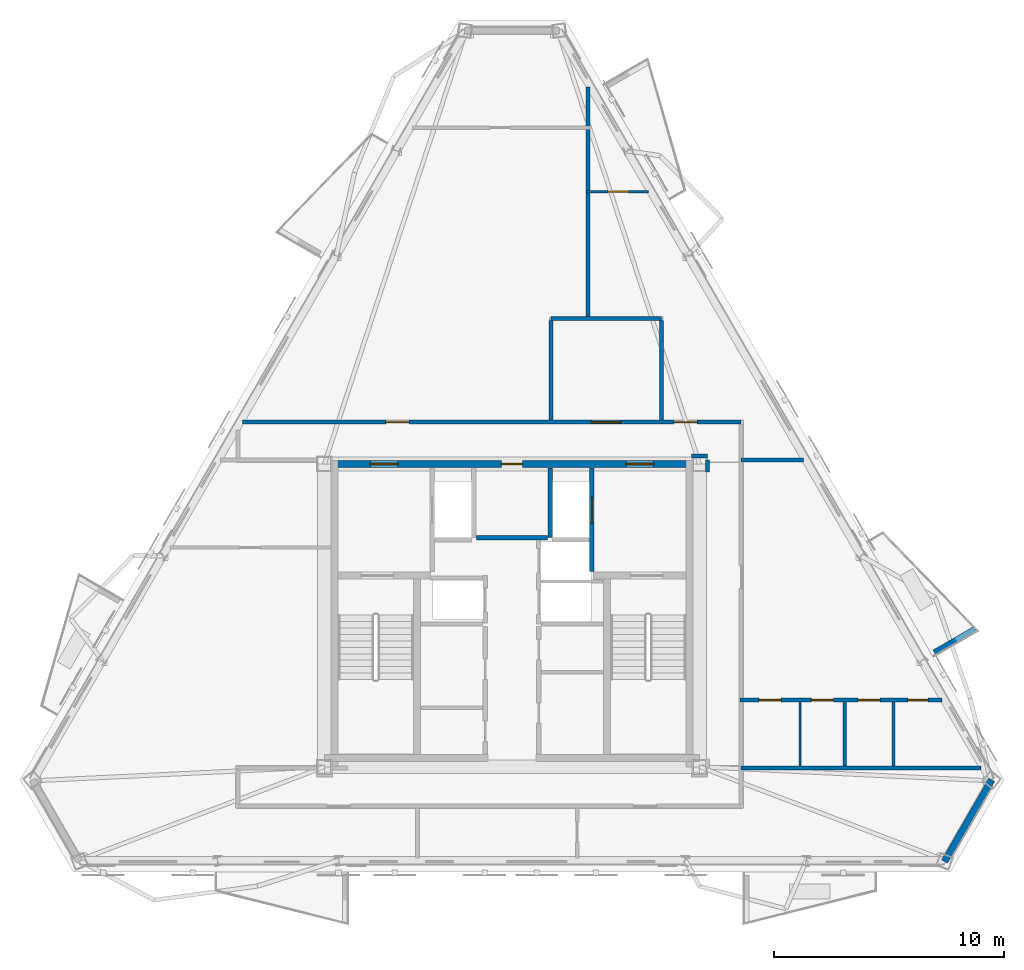
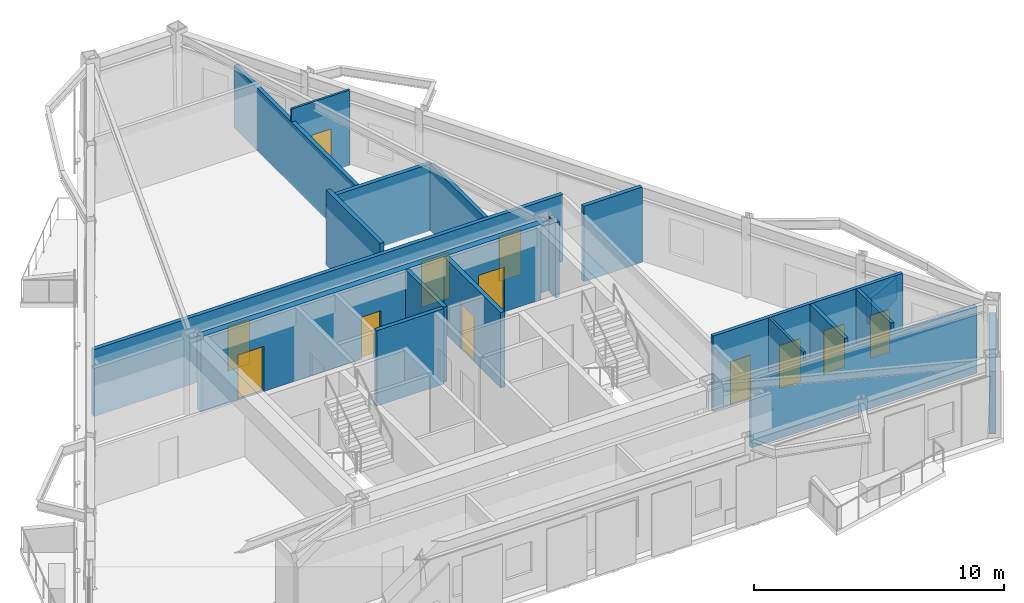
# One storey, part 4 of 9: 20 walls, 12 doors, 12 openings.
"""IFC4 building model written with IfcOpenShell, lengths in metres."""

import ifcopenshell
import ifcopenshell.guid

model = None  # the IFC model being written
_history = None  # IfcOwnerHistory: only IFC2X3 demands one
_inside = {}  # id of a spatial element -> (the spatial element, [elements in it])
_under = {}  # id of a project, library or spatial element -> (it, [spatial elements below it])
_declared = {}  # id of a project -> (the project, [libraries it declares])
_typed = {}  # id of a type object -> (the type object, [elements of that type])
_made_of = {}  # id of a material, layer set ... -> (it, [elements and type objects made of it])


def new_model(schema):
    """Start an empty IFC model of exactly this schema.

    Asked for "IFC4X3", IfcOpenShell would pick the latest addendum, in which some entities
    have other attributes; the version numbers below select the first issue.
    IFC2X3 requires an IfcOwnerHistory on every rooted entity: one is made here for all.
    """
    global model, _history
    if schema == "IFC4X3":
        model = ifcopenshell.file(schema_version=(4, 3, 0, 0))
    else:
        model = ifcopenshell.file(schema=schema)
    _inside.clear()
    _under.clear()
    _declared.clear()
    _typed.clear()
    _made_of.clear()
    _history = None
    if model.schema == "IFC2X3":
        org = make("IfcOrganization", Name="unknown")
        user = make(
            "IfcPersonAndOrganization",
            ThePerson=make("IfcPerson", FamilyName="unknown"),
            TheOrganization=org,
        )
        app = make(
            "IfcApplication",
            ApplicationDeveloper=org,
            Version="unknown",
            ApplicationFullName="unknown",
            ApplicationIdentifier="unknown",
        )
        _history = make(
            "IfcOwnerHistory",
            OwningUser=user,
            OwningApplication=app,
            ChangeAction="ADDED",
            CreationDate=0,
        )
    return model


def make(cls, **values):
    """One entity of the class cls with the attributes given. An attribute that is None is left unset."""
    return model.create_entity(
        cls, **{name: value for name, value in values.items() if value is not None}
    )


def rooted(cls, **values):
    """An entity with a GlobalId (a new one), such as an element, a storey or a relation."""
    return make(cls, GlobalId=ifcopenshell.guid.new(), OwnerHistory=_history, **values)


def si_unit(unit_type, name, prefix=None):
    """IfcSIUnit, for example si_unit("LENGTHUNIT", "METRE", prefix="MILLI")."""
    return make("IfcSIUnit", UnitType=unit_type, Prefix=prefix, Name=name)


def assignment(units):
    """IfcUnitAssignment: the units of a project."""
    return None if units is None else make("IfcUnitAssignment", Units=units)


def point(xyz):
    """IfcCartesianPoint."""
    return None if xyz is None else make("IfcCartesianPoint", Coordinates=xyz)


def direction(xyz):
    """IfcDirection."""
    return None if xyz is None else make("IfcDirection", DirectionRatios=xyz)


def frame(location, z_axis=None, x_axis=None):
    """IfcAxis2Placement3D, a coordinate frame: its origin and axes. An axis left out is left unset."""
    return make(
        "IfcAxis2Placement3D",
        Location=point(location),
        Axis=direction(z_axis),
        RefDirection=direction(x_axis),
    )


def frame_2d(location, x_axis=None):
    """IfcAxis2Placement2D, a coordinate frame in the plane: its origin and x axis."""
    return make(
        "IfcAxis2Placement2D", Location=point(location), RefDirection=direction(x_axis)
    )


def origin():
    """The frame at (0, 0, 0) with its axes left unset."""
    return frame((0.0, 0.0, 0.0))


def place(relative_to, where):
    """IfcLocalPlacement: puts the frame where relative to a parent placement (None: the world)."""
    return make(
        "IfcLocalPlacement", PlacementRelTo=relative_to, RelativePlacement=where
    )


def context(
    kind, dimensions, precision=None, world=None, true_north=None, identifier=None
):
    """IfcGeometricRepresentationContext, for example the 3D "Model" context."""
    return make(
        "IfcGeometricRepresentationContext",
        ContextIdentifier=identifier,
        ContextType=kind,
        CoordinateSpaceDimension=dimensions,
        Precision=precision,
        WorldCoordinateSystem=world,
        TrueNorth=true_north,
    )


def subcontext(parent, identifier, kind, view, scale=None):
    """IfcGeometricRepresentationSubContext, for example "Body" below "Model"."""
    return make(
        "IfcGeometricRepresentationSubContext",
        ContextIdentifier=identifier,
        ContextType=kind,
        ParentContext=parent,
        TargetScale=scale,
        TargetView=view,
    )


def project(units=None, contexts=None):
    """IfcProject with its units and contexts."""
    return rooted(
        "IfcProject",
        Name="project",
        RepresentationContexts=contexts,
        UnitsInContext=assignment(units),
    )


def spatial(cls, under=None, at=None, **own):
    """A site, building, storey or space (cls), placed at a placement, below another one or the project."""
    s = rooted(cls, ObjectPlacement=at, **own)
    if under is not None:
        _under.setdefault(under.id(), (under, []))[1].append(s)
    return s


def polyline(points):
    """IfcPolyline through the points."""
    return make("IfcPolyline", Points=[point(p) for p in points])


def profile(cls, at=None, kind="AREA", **sizes):
    """A parametric profile (cls). Its sizes go by their IFC names, for example OverallWidth=200.0."""
    return make(cls, ProfileType=kind, Position=at, **sizes)


def rectangle(**sizes):
    """IfcRectangleProfileDef."""
    return profile("IfcRectangleProfileDef", **sizes)


def outline(outer, holes=None, kind="AREA"):
    """IfcArbitraryClosedProfileDef: a profile drawn as a closed curve; with holes, ...WithVoids."""
    if holes is None:
        return make("IfcArbitraryClosedProfileDef", ProfileType=kind, OuterCurve=outer)
    return make(
        "IfcArbitraryProfileDefWithVoids",
        ProfileType=kind,
        OuterCurve=outer,
        InnerCurves=holes,
    )


def extrude(swept, where, along, depth):
    """IfcExtrudedAreaSolid: the profile swept, set in the frame where, extruded along a direction by depth."""
    return make(
        "IfcExtrudedAreaSolid",
        SweptArea=swept,
        Position=where,
        ExtrudedDirection=direction(along),
        Depth=depth,
    )


def shape(context_of_items, identifier, shape_type, items):
    """IfcShapeRepresentation: the items that make up one representation, for example the "Body"."""
    return make(
        "IfcShapeRepresentation",
        ContextOfItems=context_of_items,
        RepresentationIdentifier=identifier,
        RepresentationType=shape_type,
        Items=items,
    )


def material(Name=None, Category=None):
    """IfcMaterial."""
    return make("IfcMaterial", Name=Name, Category=Category)


def layer(
    of_material, thickness, ventilated=None, Name=None, Category=None, Priority=None
):
    """IfcMaterialLayer: one layer of a wall or slab, of a material (None: an air gap)."""
    return make(
        "IfcMaterialLayer",
        Material=of_material,
        LayerThickness=thickness,
        IsVentilated=ventilated,
        Name=Name,
        Category=Category,
        Priority=Priority,
    )


def layer_set(layers, Name=None):
    """IfcMaterialLayerSet."""
    return make("IfcMaterialLayerSet", MaterialLayers=layers, LayerSetName=Name)


def made_of(thing, what):
    """Note that an element or type object is made of a material, layer set ...; save() writes the relation."""
    if what is not None:
        _made_of.setdefault(what.id(), (what, []))[1].append(thing)
    return thing


def type_object(cls, material=None, **own):
    """A type object (cls), such as IfcWallType, which elements share."""
    return made_of(rooted(cls, **own), material)


def element(
    cls,
    number,
    at=None,
    inside=None,
    cuts=None,
    type_object=None,
    material=None,
    context=None,
    identifier="Body",
    shape_type=None,
    held_by="IfcProductDefinitionShape",
    body=None,
    shapes=None,
    **own,
):
    """One element of the class cls, such as IfcWall. Its Tag is "e" and its number.

    at: its placement. inside: the storey or other place that contains it. cuts: it is an
    opening in that element (IfcRelVoidsElement). A single representation is given by context,
    identifier, shape_type and body (its items); several are given by shapes. held_by: the class
    of the entity that holds the representations. save() writes the other relations.
    """
    e = rooted(cls, Tag="e%d" % number, ObjectPlacement=at, **own)
    if body is not None:
        shapes = [shape(context, identifier, shape_type, body)]
    if shapes is not None:
        e.Representation = make(held_by, Representations=shapes)
    if inside is not None:
        _inside.setdefault(inside.id(), (inside, []))[1].append(e)
    if cuts is not None:
        rooted(
            "IfcRelVoidsElement", RelatingBuildingElement=cuts, RelatedOpeningElement=e
        )
    if type_object is not None:
        _typed.setdefault(type_object.id(), (type_object, []))[1].append(e)
    return made_of(e, material)


def fill(opening, filler):
    """IfcRelFillsElement: the door or window that sits in an opening."""
    return rooted(
        "IfcRelFillsElement",
        RelatingOpeningElement=opening,
        RelatedBuildingElement=filler,
    )


def aggregate(whole, parts):
    """IfcRelAggregates: a whole, such as a stair, and the parts it consists of."""
    return rooted("IfcRelAggregates", RelatingObject=whole, RelatedObjects=parts)


def save(model, path):
    """Write the relations noted so far, then the file.

    IfcRelAggregates (storeys below a building ...), IfcRelContainedInSpatialStructure (elements
    in a storey), IfcRelDefinesByType, IfcRelAssociatesMaterial and IfcRelDeclares: one each for
    every whole, place, type object, material and project.
    """
    for whole, parts in _under.values():
        aggregate(whole, parts)
    for where, things in _inside.values():
        rooted(
            "IfcRelContainedInSpatialStructure",
            RelatedElements=things,
            RelatingStructure=where,
        )
    for kind, things in _typed.values():
        rooted("IfcRelDefinesByType", RelatedObjects=things, RelatingType=kind)
    for what, things in _made_of.values():
        rooted("IfcRelAssociatesMaterial", RelatedObjects=things, RelatingMaterial=what)
    for by, libraries in _declared.values():
        rooted("IfcRelDeclares", RelatingContext=by, RelatedDefinitions=libraries)
    model.write(path)


model = new_model("IFC4")

# Units and contexts
model_context = context("Model", 3, precision=1e-05, world=origin(), true_north=direction((0.0, 1.0)))
body_context = subcontext(model_context, "Body", "Model", "MODEL_VIEW")
ifc_project = project(units=[si_unit("LENGTHUNIT", "METRE"), si_unit("AREAUNIT", "SQUARE_METRE"), si_unit("VOLUMEUNIT", "CUBIC_METRE"), si_unit("PLANEANGLEUNIT", "RADIAN"), si_unit("MASSUNIT", "GRAM", prefix="KILO")], contexts=[model_context])

# Site, building, storey
site_placement = place(None, origin())
site = spatial("IfcSite", under=ifc_project, at=site_placement, CompositionType="ELEMENT")
building_placement = place(site_placement, origin())
building = spatial("IfcBuilding", under=site, at=building_placement, Name="Oramaril Tower", CompositionType="ELEMENT")
storey_placement = place(building_placement, frame((0.0, 0.0, 292.800048828125)))
storey = spatial("IfcBuildingStorey", under=building, at=storey_placement, Name="L77", CompositionType="ELEMENT", Elevation=292.800048828125)

# Walls
ifc_material_1 = material(Name="Warm Cream Limestone", Category="masonry")
ifc_layer_1 = layer(ifc_material_1, 0.2900390625)
ifc_layer_set_1 = layer_set([ifc_layer_1], Name="WT-EXT29")
wall_type_1 = type_object("IfcWallType", Name="WT-EXT29", PredefinedType="SOLIDWALL", material=ifc_layer_set_1)
wall_1_placement = place(storey_placement, frame((56.28515625, 6.884521484375, 0.0), z_axis=(0.0, 0.0, 1.0), x_axis=(0.499990189338, 0.866031067899, 0.0)))
element("IfcWall", 1, at=wall_1_placement, inside=storey, type_object=wall_type_1, Name="L77 Tower Limestone Facade Wall 3M", PredefinedType="SOLIDWALL", context=body_context, shape_type="SweptSolid", body=[
    extrude(rectangle(XDim=4.1044921875, YDim=0.2900390625, at=frame_2d((2.05224609375, 0.0))), origin(), (0.0, 0.0, 1.0), 3.057861328125),
])
ifc_material_2 = material(Name="Concrete C40/50", Category="concrete")
ifc_layer_2 = layer(ifc_material_2, 0.22998046875)
ifc_layer_set_2 = layer_set([ifc_layer_2], Name="WT-PRP23")
wall_type_2 = type_object("IfcWallType", Name="WT-PRP23", PredefinedType="PARAPET", material=ifc_layer_set_2)
wall_2_placement = place(storey_placement, frame((55.835693359375, 15.968505859375, 0.0), z_axis=(0.0, 0.0, 1.0), x_axis=(0.866012356593, 0.500022597718, 0.0)))
element("IfcWall", 2, at=wall_2_placement, inside=storey, type_object=wall_type_2, Name="L77 Trapezoidal Balcony Frame Cheek L77-BAL-NE1-L", PredefinedType="PARAPET", context=body_context, shape_type="SweptSolid", body=[
    extrude(outline(polyline([(0.0, 0.0), (2.0419921875, 0.0), (2.0419921875, 1.099853515625), (0.0, 1.320068359375), (0.0, 0.0)])), frame((0.0, 0.114990234375, 0.0), z_axis=(0.0, -1.0, 0.0), x_axis=(1.0, 0.0, 0.0)), (0.0, 0.0, 1.0), 0.22998046875),
])

# Wall, opening, door
ifc_material_3 = material(Name="Acoustic Gypsum Board Partition")
ifc_layer_3 = layer(ifc_material_3, 0.10009765625)
ifc_layer_set_3 = layer_set([ifc_layer_3], Name="WT-PT10")
wall_type_3 = type_object("IfcWallType", Name="WT-PT10", PredefinedType="PARTITIONING", material=ifc_layer_set_3)
wall_3_placement = place(storey_placement, frame((40.718017578125, 35.97998046875, 0.0), z_axis=(0.0, 0.0, 1.0), x_axis=(1.0, 0.0, 0.0)))
wall_3 = element("IfcWall", 3, at=wall_3_placement, inside=storey, type_object=wall_type_3, Name="L77 Interior Partition PT-10", PredefinedType="PARTITIONING", context=body_context, shape_type="SweptSolid", body=[
    extrude(rectangle(XDim=2.701416015625, YDim=0.10009765625, at=frame_2d((1.3505859375, 0.0))), origin(), (0.0, 0.0, 1.0), 3.679931640625),
])
opening_1_placement = place(wall_3_placement, frame((0.95166015625, 0.0, 0.0)))
opening_1 = element("IfcOpeningElement", 4, at=opening_1_placement, cuts=wall_3, Name="Opening D-L77-11", PredefinedType="OPENING", context=body_context, shape_type="SweptSolid", body=[
    extrude(rectangle(XDim=0.8798828125, YDim=2.080078125, at=frame_2d((0.43994140625, 1.0400390625))), frame((0.0, 0.050048828125, 0.0), z_axis=(0.0, -1.0, 0.0), x_axis=(1.0, 0.0, 0.0)), (0.0, 0.0, 1.0), 0.10009765625),
])
ifc_material_4 = material(Name="FSC Brazilian Freijo Hardwood", Category="wood")
door_type_1 = type_object("IfcDoorType", Name="DT-BATH", OperationType="NOTDEFINED", PredefinedType="DOOR", material=ifc_material_4)
door_1_placement = place(opening_1_placement, origin())
door_1 = element("IfcDoor", 5, at=door_1_placement, inside=storey, type_object=door_type_1, Name="L77 Flat L77-U5 Bathroom Door D-L77-11", OperationType="SINGLE_SWING_RIGHT", OverallHeight=2.080078125, OverallWidth=0.8798828125, PredefinedType="DOOR", context=body_context, shape_type="SweptSolid", body=[
    extrude(rectangle(XDim=0.8798828125, YDim=2.080078125, at=frame_2d((0.43994140625, 1.0400390625))), frame((0.0, 0.02490234375, 0.0), z_axis=(0.0, -1.0, 0.0), x_axis=(1.0, 0.0, 0.0)), (0.0, 0.0, 1.0), 0.050048828125),
])
fill(opening_1, door_1)

# Walls
wall_4_placement = place(storey_placement, frame((50.010009765625, 11.0439453125, 0.0), z_axis=(0.0, 0.0, 1.0), x_axis=(0.0, 1.0, 0.0)))
element("IfcWall", 6, at=wall_4_placement, inside=storey, type_object=wall_type_3, Name="L77 Interior Partition PT-10", PredefinedType="PARTITIONING", context=body_context, shape_type="SweptSolid", body=[
    extrude(rectangle(XDim=2.77197265625, YDim=0.10009765625, at=frame_2d((1.385986328125, 0.0))), origin(), (0.0, 0.0, 1.0), 3.679931640625),
])
ifc_material_5 = material(Name="Acoustic Gypsum Board Partition")
ifc_layer_4 = layer(ifc_material_5, 0.139892578125)
ifc_layer_set_4 = layer_set([ifc_layer_4], Name="WT-PT14")
wall_type_4 = type_object("IfcWallType", Name="WT-PT14", PredefinedType="PARTITIONING", material=ifc_layer_set_4)
wall_5_placement = place(storey_placement, frame((54.070068359375, 11.0439453125, 0.0), z_axis=(0.0, 0.0, 1.0), x_axis=(0.0, 1.0, 0.0)))
element("IfcWall", 7, at=wall_5_placement, inside=storey, type_object=wall_type_4, Name="L77 Interior Partition PT-14", PredefinedType="PARTITIONING", context=body_context, shape_type="SweptSolid", body=[
    extrude(rectangle(XDim=2.77197265625, YDim=0.139892578125, at=frame_2d((1.385986328125, 0.0))), origin(), (0.0, 0.0, 1.0), 3.679931640625),
])

# Wall, openings, doors
ifc_material_6 = material(Name="Acoustic Gypsum Board Partition")
ifc_layer_5 = layer(ifc_material_6, 0.159912109375)
ifc_layer_set_5 = layer_set([ifc_layer_5], Name="WT-PT16")
wall_type_5 = type_object("IfcWallType", Name="WT-PT16", PredefinedType="PARTITIONING", material=ifc_layer_set_5)
wall_6_placement = place(storey_placement, frame((47.39990234375, 13.89990234375, 0.0), z_axis=(0.0, 0.0, 1.0), x_axis=(1.0, 0.0, 0.0)))
wall_6 = element("IfcWall", 8, at=wall_6_placement, inside=storey, type_object=wall_type_5, Name="L77 Interior Partition PT-16", PredefinedType="PARTITIONING", context=body_context, shape_type="SweptSolid", body=[
    extrude(rectangle(XDim=8.767333984375, YDim=0.159912109375, at=frame_2d((4.3837890625, 0.0))), origin(), (0.0, 0.0, 1.0), 3.679931640625),
])
opening_2_placement = place(wall_6_placement, frame((0.83740234375, 0.0, 0.0)))
opening_2 = element("IfcOpeningElement", 9, at=opening_2_placement, cuts=wall_6, Name="Opening D-L77-03", PredefinedType="OPENING", context=body_context, shape_type="SweptSolid", body=[
    extrude(rectangle(XDim=0.949951171875, YDim=2.10009765625, at=frame_2d((0.47509765625, 1.050048828125))), frame((0.0, 0.080078125, 0.0), z_axis=(0.0, -1.0, 0.0), x_axis=(1.0, 0.0, 0.0)), (0.0, 0.0, 1.0), 0.159912109375),
])
opening_3_placement = place(wall_6_placement, frame((3.10498046875, 0.0, 0.0)))
opening_3 = element("IfcOpeningElement", 10, at=opening_3_placement, cuts=wall_6, Name="Opening D-L77-04", PredefinedType="OPENING", context=body_context, shape_type="SweptSolid", body=[
    extrude(rectangle(XDim=0.949951171875, YDim=2.10009765625, at=frame_2d((0.47509765625, 1.050048828125))), frame((0.0, 0.080078125, 0.0), z_axis=(0.0, -1.0, 0.0), x_axis=(1.0, 0.0, 0.0)), (0.0, 0.0, 1.0), 0.159912109375),
])
opening_4_placement = place(wall_6_placement, frame((5.13720703125, 0.0, 0.0)))
opening_4 = element("IfcOpeningElement", 11, at=opening_4_placement, cuts=wall_6, Name="Opening D-L77-05", PredefinedType="OPENING", context=body_context, shape_type="SweptSolid", body=[
    extrude(rectangle(XDim=0.949951171875, YDim=2.10009765625, at=frame_2d((0.47509765625, 1.050048828125))), frame((0.0, 0.080078125, 0.0), z_axis=(0.0, -1.0, 0.0), x_axis=(1.0, 0.0, 0.0)), (0.0, 0.0, 1.0), 0.159912109375),
])
opening_5_placement = place(wall_6_placement, frame((7.292724609375, 0.0, 0.0)))
opening_5 = element("IfcOpeningElement", 12, at=opening_5_placement, cuts=wall_6, Name="Opening D-L77-06", PredefinedType="OPENING", context=body_context, shape_type="SweptSolid", body=[
    extrude(rectangle(XDim=0.8798828125, YDim=2.080078125, at=frame_2d((0.43994140625, 1.0400390625))), frame((0.0, 0.080078125, 0.0), z_axis=(0.0, -1.0, 0.0), x_axis=(1.0, 0.0, 0.0)), (0.0, 0.0, 1.0), 0.159912109375),
])
door_2_placement = place(opening_5_placement, origin())
door_2 = element("IfcDoor", 13, at=door_2_placement, inside=storey, type_object=door_type_1, Name="L77 Flat L77-U3 Bathroom Door D-L77-06", OperationType="SINGLE_SWING_LEFT", OverallHeight=2.080078125, OverallWidth=0.8798828125, PredefinedType="DOOR", context=body_context, shape_type="SweptSolid", body=[
    extrude(rectangle(XDim=0.8798828125, YDim=2.080078125, at=frame_2d((0.43994140625, 1.0400390625))), frame((0.0, 0.02490234375, 0.0), z_axis=(0.0, -1.0, 0.0), x_axis=(1.0, 0.0, 0.0)), (0.0, 0.0, 1.0), 0.050048828125),
])
fill(opening_5, door_2)
ifc_material_7 = material(Name="FSC Brazilian Freijo Hardwood", Category="wood")
door_type_2 = type_object("IfcDoorType", Name="DT-STDY", OperationType="NOTDEFINED", PredefinedType="DOOR", material=ifc_material_7)
door_3_placement = place(opening_2_placement, origin())
door_3 = element("IfcDoor", 14, at=door_3_placement, inside=storey, type_object=door_type_2, Name="L77 Flat L77-U3 Breakfast Dining Room Door D-L77-03", OperationType="SINGLE_SWING_RIGHT", OverallHeight=2.10009765625, OverallWidth=0.949951171875, PredefinedType="DOOR", context=body_context, shape_type="SweptSolid", body=[
    extrude(rectangle(XDim=0.949951171875, YDim=2.10009765625, at=frame_2d((0.47509765625, 1.050048828125))), frame((0.0, 0.02490234375, 0.0), z_axis=(0.0, -1.0, 0.0), x_axis=(1.0, 0.0, 0.0)), (0.0, 0.0, 1.0), 0.050048828125),
])
fill(opening_2, door_3)
door_4_placement = place(opening_3_placement, origin())
door_4 = element("IfcDoor", 15, at=door_4_placement, inside=storey, type_object=door_type_2, Name="L77 Flat L77-U3 Breakfast Dining Room Door D-L77-04", OperationType="SINGLE_SWING_LEFT", OverallHeight=2.10009765625, OverallWidth=0.949951171875, PredefinedType="DOOR", context=body_context, shape_type="SweptSolid", body=[
    extrude(rectangle(XDim=0.949951171875, YDim=2.10009765625, at=frame_2d((0.47509765625, 1.050048828125))), frame((0.0, 0.02490234375, 0.0), z_axis=(0.0, -1.0, 0.0), x_axis=(1.0, 0.0, 0.0)), (0.0, 0.0, 1.0), 0.050048828125),
])
fill(opening_3, door_4)
door_5_placement = place(opening_4_placement, origin())
door_5 = element("IfcDoor", 16, at=door_5_placement, inside=storey, type_object=door_type_2, Name="L77 Flat L77-U3 Kitchen Door D-L77-05", OperationType="SINGLE_SWING_RIGHT", OverallHeight=2.10009765625, OverallWidth=0.949951171875, PredefinedType="DOOR", context=body_context, shape_type="SweptSolid", body=[
    extrude(rectangle(XDim=0.949951171875, YDim=2.10009765625, at=frame_2d((0.47509765625, 1.050048828125))), frame((0.0, 0.02490234375, 0.0), z_axis=(0.0, -1.0, 0.0), x_axis=(1.0, 0.0, 0.0)), (0.0, 0.0, 1.0), 0.050048828125),
])
fill(opening_4, door_5)

# Walls
wall_7_placement = place(storey_placement, frame((51.949951171875, 11.0439453125, 0.0), z_axis=(0.0, 0.0, 1.0), x_axis=(0.0, 1.0, 0.0)))
element("IfcWall", 17, at=wall_7_placement, inside=storey, type_object=wall_type_5, Name="L77 Interior Partition PT-16", PredefinedType="PARTITIONING", context=body_context, shape_type="SweptSolid", body=[
    extrude(rectangle(XDim=2.77197265625, YDim=0.159912109375, at=frame_2d((1.385986328125, 0.0))), origin(), (0.0, 0.0, 1.0), 3.679931640625),
])
ifc_material_8 = material(Name="Autoclaved Cellular Concrete Block", Category="concrete")
ifc_layer_6 = layer(ifc_material_8, 0.179931640625)
ifc_layer_set_6 = layer_set([ifc_layer_6], Name="WT-PT18")
wall_type_6 = type_object("IfcWallType", Name="WT-PT18", PredefinedType="PARTITIONING", material=ifc_layer_set_6)
wall_8_placement = place(storey_placement, frame((39.159912109375, 20.9599609375, 0.0), z_axis=(0.0, 0.0, 1.0), x_axis=(0.0, 1.0, 0.0)))
element("IfcWall", 18, at=wall_8_placement, inside=storey, type_object=wall_type_6, Name="L77 FL-2 West Shaft Wall", PredefinedType="PARTITIONING", context=body_context, shape_type="SweptSolid", body=[
    extrude(rectangle(XDim=3.02001953125, YDim=0.179931640625, at=frame_2d((1.510009765625, 0.0))), origin(), (0.0, 0.0, 1.0), 3.679931640625),
])
wall_9_placement = place(storey_placement, frame((35.949951171875, 20.949951171875, 0.0), z_axis=(0.0, 0.0, 1.0), x_axis=(1.0, 0.0, 0.0)))
element("IfcWall", 19, at=wall_9_placement, inside=storey, type_object=wall_type_6, Name="L77 Lift Lobby North Partition", PredefinedType="PARTITIONING", context=body_context, shape_type="SweptSolid", body=[
    extrude(rectangle(XDim=3.10009765625, YDim=0.179931640625, at=frame_2d((1.550048828125, 0.0))), origin(), (0.0, 0.0, 1.0), 3.679931640625),
])
wall_10_placement = place(storey_placement, frame((47.449951171875, 10.949951171875, 0.0), z_axis=(0.0, 0.0, 1.0), x_axis=(1.0, 0.0, 0.0)))
element("IfcWall", 20, at=wall_10_placement, inside=storey, type_object=wall_type_6, Name="L77 Interior Partition PT-18", PredefinedType="PARTITIONING", context=body_context, shape_type="SweptSolid", body=[
    extrude(rectangle(XDim=10.420654296875, YDim=0.179931640625, at=frame_2d((5.21044921875, 0.0))), origin(), (0.0, 0.0, 1.0), 3.265869140625),
])
wall_11_placement = place(storey_placement, frame((47.449951171875, 24.320068359375, 0.0), z_axis=(0.0, 0.0, 1.0), x_axis=(1.0, 0.0, 0.0)))
element("IfcWall", 21, at=wall_11_placement, inside=storey, type_object=wall_type_6, Name="L77 Interior Partition PT-18", PredefinedType="PARTITIONING", context=body_context, shape_type="SweptSolid", body=[
    extrude(rectangle(XDim=2.701416015625, YDim=0.179931640625, at=frame_2d((1.3505859375, 0.0))), origin(), (0.0, 0.0, 1.0), 3.679931640625),
])
wall_12_placement = place(storey_placement, frame((45.304931640625, 24.5, 0.0), z_axis=(0.0, 0.0, 1.0), x_axis=(1.0, 0.0, 0.0)))
element("IfcWall", 22, at=wall_12_placement, inside=storey, type_object=wall_type_6, Name="L77 Interior Partition PT-18", PredefinedType="PARTITIONING", context=body_context, shape_type="SweptSolid", body=[
    extrude(rectangle(XDim=0.690185546875, YDim=0.179931640625, at=frame_2d((0.34521484375, 0.0))), origin(), (0.0, 0.0, 1.0), 3.265869140625),
])

# Wall, openings, doors
wall_13_placement = place(storey_placement, frame((25.80126953125, 25.969970703125, 0.0), z_axis=(0.0, 0.0, 1.0), x_axis=(1.0, 0.0, 0.0)))
wall_13 = element("IfcWall", 23, at=wall_13_placement, inside=storey, type_object=wall_type_6, Name="L77 Interior Partition PT-18", PredefinedType="PARTITIONING", context=body_context, shape_type="SweptSolid", body=[
    extrude(rectangle(XDim=21.648681640625, YDim=0.179931640625, at=frame_2d((10.82421875, 0.0))), origin(), (0.0, 0.0, 1.0), 3.265869140625),
])
opening_6_placement = place(wall_13_placement, frame((6.220947265625, 0.0, 0.0)))
opening_6 = element("IfcOpeningElement", 24, at=opening_6_placement, cuts=wall_13, Name="Opening D-L77-08", PredefinedType="OPENING", context=body_context, shape_type="SweptSolid", body=[
    extrude(rectangle(XDim=1.0, YDim=2.179931640625, at=frame_2d((0.5, 1.08984375))), frame((0.0, 0.08984375, 0.0), z_axis=(0.0, -1.0, 0.0), x_axis=(1.0, 0.0, 0.0)), (0.0, 0.0, 1.0), 0.179931640625),
])
opening_7_placement = place(wall_13_placement, frame((15.148681640625, 0.0, 0.0)))
opening_7 = element("IfcOpeningElement", 25, at=opening_7_placement, cuts=wall_13, Name="Opening D-L77-09", PredefinedType="OPENING", context=body_context, shape_type="SweptSolid", body=[
    extrude(rectangle(XDim=1.300048828125, YDim=2.199951171875, at=frame_2d((0.64990234375, 1.10009765625))), frame((0.0, 0.08984375, 0.0), z_axis=(0.0, -1.0, 0.0), x_axis=(1.0, 0.0, 0.0)), (0.0, 0.0, 1.0), 0.179931640625),
])
opening_8_placement = place(wall_13_placement, frame((18.739013671875, 0.0, 0.0)))
opening_8 = element("IfcOpeningElement", 26, at=opening_8_placement, cuts=wall_13, Name="Opening D-L77-10", PredefinedType="OPENING", context=body_context, shape_type="SweptSolid", body=[
    extrude(rectangle(XDim=1.0, YDim=2.179931640625, at=frame_2d((0.5, 1.08984375))), frame((0.0, 0.08984375, 0.0), z_axis=(0.0, -1.0, 0.0), x_axis=(1.0, 0.0, 0.0)), (0.0, 0.0, 1.0), 0.179931640625),
])
ifc_material_9 = material(Name="FSC Brazilian Freijo Hardwood", Category="wood")
door_type_3 = type_object("IfcDoorType", Name="DT-APT", OperationType="NOTDEFINED", PredefinedType="DOOR", material=ifc_material_9)
door_6_placement = place(opening_6_placement, origin())
door_6 = element("IfcDoor", 27, at=door_6_placement, inside=storey, type_object=door_type_3, Name="L77 Flat L77-U4 Kitchen and Studio Apartment Door D-L77-08", OperationType="SINGLE_SWING_LEFT", OverallHeight=2.179931640625, OverallWidth=1.0, PredefinedType="DOOR", context=body_context, shape_type="SweptSolid", body=[
    extrude(rectangle(XDim=1.0, YDim=2.179931640625, at=frame_2d((0.5, 1.08984375))), frame((0.0, 0.02490234375, 0.0), z_axis=(0.0, -1.0, 0.0), x_axis=(1.0, 0.0, 0.0)), (0.0, 0.0, 1.0), 0.050048828125),
])
fill(opening_6, door_6)
door_7_placement = place(opening_8_placement, origin())
door_7 = element("IfcDoor", 28, at=door_7_placement, inside=storey, type_object=door_type_3, Name="L77 Flat L77-U5 Kitchen and Studio Apartment Door D-L77-10", OperationType="SINGLE_SWING_LEFT", OverallHeight=2.179931640625, OverallWidth=1.0, PredefinedType="DOOR", context=body_context, shape_type="SweptSolid", body=[
    extrude(rectangle(XDim=1.0, YDim=2.179931640625, at=frame_2d((0.5, 1.08984375))), frame((0.0, 0.02490234375, 0.0), z_axis=(0.0, -1.0, 0.0), x_axis=(1.0, 0.0, 0.0)), (0.0, 0.0, 1.0), 0.050048828125),
])
fill(opening_8, door_7)
ifc_material_10 = material(Name="FSC Brazilian Freijo Hardwood", Category="wood")
door_type_4 = type_object("IfcDoorType", Name="DT-COM", OperationType="NOTDEFINED", PredefinedType="DOOR", material=ifc_material_10)
door_8_placement = place(opening_7_placement, origin())
door_8 = element("IfcDoor", 29, at=door_8_placement, inside=storey, type_object=door_type_4, Name="L77 L77 Floor Co-Working Office Suite Door D-L77-09", OperationType="SINGLE_SWING_RIGHT", OverallHeight=2.199951171875, OverallWidth=1.300048828125, PredefinedType="DOOR", context=body_context, shape_type="SweptSolid", body=[
    extrude(rectangle(XDim=1.300048828125, YDim=2.199951171875, at=frame_2d((0.64990234375, 1.10009765625))), frame((0.0, 0.02490234375, 0.0), z_axis=(0.0, -1.0, 0.0), x_axis=(1.0, 0.0, 0.0)), (0.0, 0.0, 1.0), 0.050048828125),
])
fill(opening_7, door_8)

# Walls
wall_14_placement = place(storey_placement, frame((39.199951171875, 30.469970703125, 0.0), z_axis=(0.0, 0.0, 1.0), x_axis=(1.0, 0.0, 0.0)))
element("IfcWall", 30, at=wall_14_placement, inside=storey, type_object=wall_type_6, Name="L77 Interior Partition PT-18", PredefinedType="PARTITIONING", context=body_context, shape_type="SweptSolid", body=[
    extrude(rectangle(XDim=4.800048828125, YDim=0.179931640625, at=frame_2d((2.39990234375, 0.0))), origin(), (0.0, 0.0, 1.0), 3.265869140625),
])
wall_15_placement = place(storey_placement, frame((39.199951171875, 26.06396484375, 0.0), z_axis=(0.0, 0.0, 1.0), x_axis=(0.0, 1.0, 0.0)))
element("IfcWall", 31, at=wall_15_placement, inside=storey, type_object=wall_type_6, Name="L77 Interior Partition PT-18", PredefinedType="PARTITIONING", context=body_context, shape_type="SweptSolid", body=[
    extrude(rectangle(XDim=4.31201171875, YDim=0.179931640625, at=frame_2d((2.156005859375, 0.0))), origin(), (0.0, 0.0, 1.0), 3.679931640625),
])
wall_16_placement = place(storey_placement, frame((40.800048828125, 30.56396484375, 0.0), z_axis=(0.0, 0.0, 1.0), x_axis=(0.0, 1.0, 0.0)))
element("IfcWall", 32, at=wall_16_placement, inside=storey, type_object=wall_type_6, Name="L77 Interior Partition PT-18", PredefinedType="PARTITIONING", context=body_context, shape_type="SweptSolid", body=[
    extrude(rectangle(XDim=9.953125, YDim=0.179931640625, at=frame_2d((4.9765625, 0.0))), origin(), (0.0, 0.0, 1.0), 3.057861328125),
])
wall_17_placement = place(storey_placement, frame((44.0, 26.06396484375, 0.0), z_axis=(0.0, 0.0, 1.0), x_axis=(0.0, 1.0, 0.0)))
element("IfcWall", 33, at=wall_17_placement, inside=storey, type_object=wall_type_6, Name="L77 Interior Partition PT-18", PredefinedType="PARTITIONING", context=body_context, shape_type="SweptSolid", body=[
    extrude(rectangle(XDim=4.31201171875, YDim=0.179931640625, at=frame_2d((2.156005859375, 0.0))), origin(), (0.0, 0.0, 1.0), 3.265869140625),
])
wall_18_placement = place(storey_placement, frame((45.989990234375, 23.81005859375, 0.0), z_axis=(0.0, 0.0, 1.0), x_axis=(0.0, 1.0, 0.0)))
element("IfcWall", 34, at=wall_18_placement, inside=storey, type_object=wall_type_6, Name="L77 Interior Partition PT-18", PredefinedType="PARTITIONING", context=body_context, shape_type="SweptSolid", body=[
    extrude(rectangle(XDim=0.510009765625, YDim=0.179931640625, at=frame_2d((0.2548828125, 0.0))), origin(), (0.0, 0.0, 1.0), 3.679931640625),
])

# Wall, openings, doors
ifc_material_11 = material(Name="Concrete C50/60", Category="concrete")
ifc_layer_7 = layer(ifc_material_11, 0.300048828125)
ifc_layer_set_7 = layer_set([ifc_layer_7], Name="WT-SH30")
wall_type_7 = type_object("IfcWallType", Name="WT-SH30", PredefinedType="SHEAR", material=ifc_layer_set_7)
wall_19_placement = place(storey_placement, frame((29.64990234375, 24.14990234375, 0.0), z_axis=(0.0, 0.0, 1.0), x_axis=(1.0, 0.0, 0.0)))
wall_19 = element("IfcWall", 35, at=wall_19_placement, inside=storey, type_object=wall_type_7, Name="L77 Core Shear Wall CW-N", PredefinedType="SHEAR", context=body_context, shape_type="SweptSolid", body=[
    extrude(rectangle(XDim=15.7001953125, YDim=0.300048828125, at=frame_2d((7.85009765625, 0.0))), origin(), (0.0, 0.0, 1.0), 3.679931640625),
])
opening_9_placement = place(wall_19_placement, frame((1.699951171875, 0.0, 0.0)))
opening_9 = element("IfcOpeningElement", 36, at=opening_9_placement, cuts=wall_19, Name="Opening D-L77-FFL1", PredefinedType="OPENING", context=body_context, shape_type="SweptSolid", body=[
    extrude(rectangle(XDim=1.199951171875, YDim=2.199951171875, at=frame_2d((0.60009765625, 1.10009765625))), frame((0.0, 0.14990234375, 0.0), z_axis=(0.0, -1.0, 0.0), x_axis=(1.0, 0.0, 0.0)), (0.0, 0.0, 1.0), 0.300048828125),
])
opening_10_placement = place(wall_19_placement, frame((12.800048828125, 0.0, 0.0)))
opening_10 = element("IfcOpeningElement", 37, at=opening_10_placement, cuts=wall_19, Name="Opening D-L77-FFL2", PredefinedType="OPENING", context=body_context, shape_type="SweptSolid", body=[
    extrude(rectangle(XDim=1.199951171875, YDim=2.199951171875, at=frame_2d((0.60009765625, 1.10009765625))), frame((0.0, 0.14990234375, 0.0), z_axis=(0.0, -1.0, 0.0), x_axis=(1.0, 0.0, 0.0)), (0.0, 0.0, 1.0), 0.300048828125),
])
opening_11_placement = place(wall_19_placement, frame((7.39990234375, 0.0, 0.0)))
opening_11 = element("IfcOpeningElement", 38, at=opening_11_placement, cuts=wall_19, Name="Opening D-L77-SV1", PredefinedType="OPENING", context=body_context, shape_type="SweptSolid", body=[
    extrude(rectangle(XDim=0.89990234375, YDim=2.050048828125, at=frame_2d((0.449951171875, 1.02490234375))), frame((0.0, 0.14990234375, 0.0), z_axis=(0.0, -1.0, 0.0), x_axis=(1.0, 0.0, 0.0)), (0.0, 0.0, 1.0), 0.300048828125),
])
ifc_material_12 = material(Name="Painted Galvanised Steel", Category="steel")
door_type_5 = type_object("IfcDoorType", Name="DT-FFL", OperationType="NOTDEFINED", PredefinedType="DOOR", material=ifc_material_12)
door_9_placement = place(opening_9_placement, origin())
door_9 = element("IfcDoor", 39, at=door_9_placement, inside=storey, type_object=door_type_5, Name="L77 Firefighting Lobby 1 Fire Door", OperationType="SINGLE_SWING_LEFT", OverallHeight=2.199951171875, OverallWidth=1.199951171875, PredefinedType="DOOR", context=body_context, shape_type="SweptSolid", body=[
    extrude(rectangle(XDim=1.199951171875, YDim=2.199951171875, at=frame_2d((0.60009765625, 1.10009765625))), frame((0.0, 0.02490234375, 0.0), z_axis=(0.0, -1.0, 0.0), x_axis=(1.0, 0.0, 0.0)), (0.0, 0.0, 1.0), 0.050048828125),
])
fill(opening_9, door_9)
door_10_placement = place(opening_10_placement, origin())
door_10 = element("IfcDoor", 40, at=door_10_placement, inside=storey, type_object=door_type_5, Name="L77 Firefighting Lobby 2 Fire Door", OperationType="SINGLE_SWING_RIGHT", OverallHeight=2.199951171875, OverallWidth=1.199951171875, PredefinedType="DOOR", context=body_context, shape_type="SweptSolid", body=[
    extrude(rectangle(XDim=1.199951171875, YDim=2.199951171875, at=frame_2d((0.60009765625, 1.10009765625))), frame((0.0, 0.02490234375, 0.0), z_axis=(0.0, -1.0, 0.0), x_axis=(1.0, 0.0, 0.0)), (0.0, 0.0, 1.0), 0.050048828125),
])
fill(opening_10, door_10)
ifc_material_13 = material(Name="Painted Galvanised Steel", Category="steel")
door_type_6 = type_object("IfcDoorType", Name="DT-SVC", OperationType="NOTDEFINED", PredefinedType="DOOR", material=ifc_material_13)
door_11_placement = place(opening_11_placement, origin())
door_11 = element("IfcDoor", 41, at=door_11_placement, inside=storey, type_object=door_type_6, Name="L77 Core Janitor Store Door", OperationType="SINGLE_SWING_LEFT", OverallHeight=2.050048828125, OverallWidth=0.89990234375, PredefinedType="DOOR", context=body_context, shape_type="SweptSolid", body=[
    extrude(rectangle(XDim=0.89990234375, YDim=2.050048828125, at=frame_2d((0.449951171875, 1.02490234375))), frame((0.0, 0.02490234375, 0.0), z_axis=(0.0, -1.0, 0.0), x_axis=(1.0, 0.0, 0.0)), (0.0, 0.0, 1.0), 0.050048828125),
])
fill(opening_11, door_11)

# Wall, opening, door
ifc_material_14 = material(Name="Autoclaved Cellular Concrete Block", Category="concrete")
ifc_layer_8 = layer(ifc_material_14, 0.199951171875)
ifc_layer_set_8 = layer_set([ifc_layer_8], Name="WT-SHF20")
wall_type_8 = type_object("IfcWallType", Name="WT-SHF20", PredefinedType="PARTITIONING", material=ifc_layer_set_8)
wall_20_placement = place(storey_placement, frame((40.9599609375, 19.47998046875, 0.0), z_axis=(0.0, 0.0, 1.0), x_axis=(0.0, 1.0, 0.0)))
wall_20 = element("IfcWall", 42, at=wall_20_placement, inside=storey, type_object=wall_type_8, Name="L77 FL-2 Lobby Shaft Wall", PredefinedType="PARTITIONING", context=body_context, shape_type="SweptSolid", body=[
    extrude(rectangle(XDim=4.5, YDim=0.199951171875, at=frame_2d((2.25, 0.0))), origin(), (0.0, 0.0, 1.0), 3.679931640625),
])
opening_12_placement = place(wall_20_placement, frame((2.1201171875, 0.0, 0.0)))
opening_12 = element("IfcOpeningElement", 43, at=opening_12_placement, cuts=wall_20, Name="Opening LD-L77-FL-2", PredefinedType="OPENING", context=body_context, shape_type="SweptSolid", body=[
    extrude(rectangle(XDim=1.10009765625, YDim=2.199951171875, at=frame_2d((0.550048828125, 1.10009765625))), frame((0.0, 0.10009765625, 0.0), z_axis=(0.0, -1.0, 0.0), x_axis=(1.0, 0.0, 0.0)), (0.0, 0.0, 1.0), 0.199951171875),
])
ifc_material_15 = material(Name="Stainless Steel 316L", Category="steel")
door_type_7 = type_object("IfcDoorType", Name="DT-LD1", OperationType="NOTDEFINED", PredefinedType="DOOR", material=ifc_material_15)
door_12_placement = place(opening_12_placement, origin())
door_12 = element("IfcDoor", 44, at=door_12_placement, inside=storey, type_object=door_type_7, Name="L77 Lift FL-2 Sliding Landing Door", OperationType="SLIDING_TO_RIGHT", OverallHeight=2.199951171875, OverallWidth=1.10009765625, PredefinedType="DOOR", context=body_context, shape_type="SweptSolid", body=[
    extrude(rectangle(XDim=1.10009765625, YDim=2.199951171875, at=frame_2d((0.550048828125, 1.10009765625))), frame((0.0, 0.02490234375, 0.0), z_axis=(0.0, -1.0, 0.0), x_axis=(1.0, 0.0, 0.0)), (0.0, 0.0, 1.0), 0.050048828125),
])
fill(opening_12, door_12)

save(model, "model.ifc")
